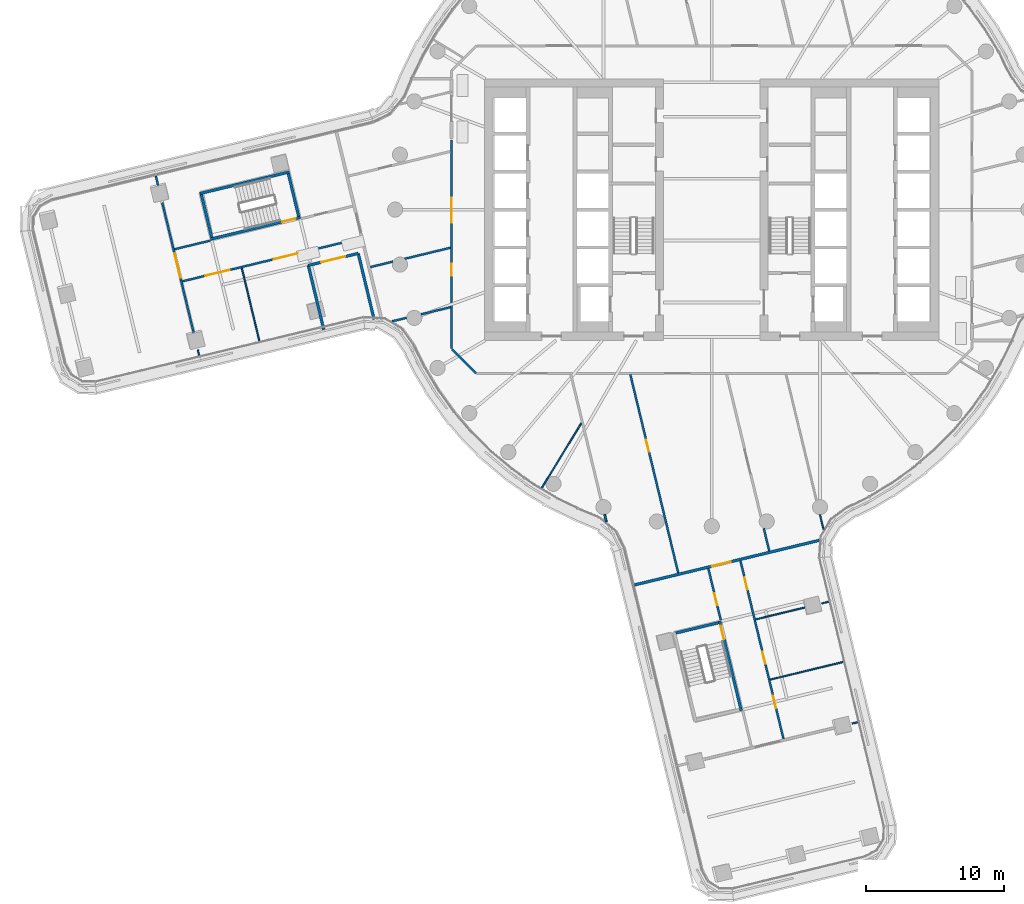
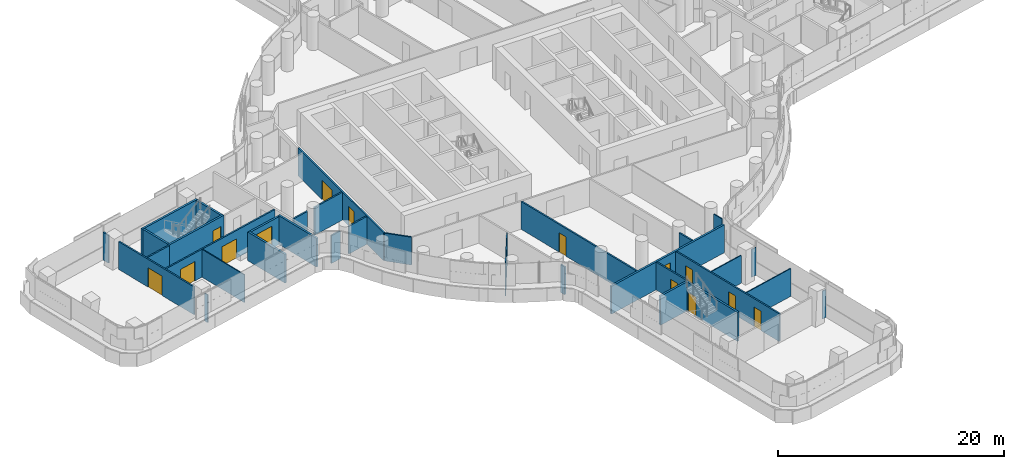
# One storey, part 19 of 33: 33 walls, 14 doors, 14 openings.
"""IFC4 building model written with IfcOpenShell, lengths in metres."""

from ifc_helpers import new_model, si_unit, direction, frame, frame_2d, origin, place, context, subcontext, project, spatial, polyline, rectangle, outline, extrude, material, layer, layer_set, type_object, element, fill, save


model = new_model("IFC4")

# Units and contexts
model_context = context("Model", 3, precision=1e-05, world=origin(), true_north=direction((0.0, 1.0)))
body_context = subcontext(model_context, "Body", "Model", "MODEL_VIEW")
ifc_project = project(units=[si_unit("LENGTHUNIT", "METRE"), si_unit("AREAUNIT", "SQUARE_METRE"), si_unit("VOLUMEUNIT", "CUBIC_METRE"), si_unit("PLANEANGLEUNIT", "RADIAN"), si_unit("MASSUNIT", "GRAM", prefix="KILO")], contexts=[model_context])

# Site, building, storey
site_placement = place(None, origin())
site = spatial("IfcSite", under=ifc_project, at=site_placement, CompositionType="ELEMENT")
building_placement = place(site_placement, origin())
building = spatial("IfcBuilding", under=site, at=building_placement, Name="Tamarind Cross Interchange Tower", CompositionType="ELEMENT")
storey_placement = place(building_placement, frame((0.0, 0.0, 83.5)))
storey = spatial("IfcBuildingStorey", under=building, at=storey_placement, Name="L19", CompositionType="ELEMENT", Elevation=83.5)

# Wall, opening, door
ifc_material_1 = material(Name="Concrete C40", Category="concrete")
ifc_layer_1 = layer(ifc_material_1, 0.199951171875)
ifc_layer_set_1 = layer_set([ifc_layer_1], Name="Concrete C40")
wall_type_1 = type_object("IfcWallType", Name="Balcony and garden door wall", PredefinedType="SOLIDWALL", material=ifc_layer_set_1)
wall_1_placement = place(storey_placement, frame((-29.3095703125, -4.052734375, 0.0), z_axis=(0.0, 0.0, 1.0), x_axis=(0.972345695873, 0.233546243209, 0.0)))
wall_1 = element("IfcWall", 1, at=wall_1_placement, inside=storey, type_object=wall_type_1, Name="EXW-L19-WG-L19-WS", PredefinedType="SOLIDWALL", context=body_context, shape_type="SweptSolid", body=[
    extrude(rectangle(XDim=3.729736328125, YDim=0.199951171875, at=frame_2d((1.86474609375, 0.0))), origin(), (0.0, 0.0, 1.0), 3.010009765625),
])
opening_1_placement = place(wall_1_placement, frame((0.965087890625, 0.0, 0.0)))
opening_1 = element("IfcOpeningElement", 2, at=opening_1_placement, cuts=wall_1, Name="Opening D5", PredefinedType="OPENING", context=body_context, shape_type="SweptSolid", body=[
    extrude(rectangle(XDim=1.800048828125, YDim=2.39990234375, at=frame_2d((0.89990234375, 1.199951171875))), frame((0.0, 0.10986328125, 0.0), z_axis=(0.0, -1.0, 0.0), x_axis=(1.0, 0.0, 0.0)), (0.0, 0.0, 1.0), 0.219970703125),
])
ifc_material_2 = material(Name="Aluminium and toughened glass", Category="aluminium")
door_type_1 = type_object("IfcDoorType", Name="Roof garden door", OperationType="DOUBLE_DOOR_SINGLE_SWING", PredefinedType="DOOR", material=ifc_material_2)
door_1_placement = place(opening_1_placement, origin())
door_1 = element("IfcDoor", 3, at=door_1_placement, inside=storey, type_object=door_type_1, Name="DOR-L19-WG-L19-WS", OperationType="SINGLE_SWING_LEFT", OverallHeight=2.39990234375, OverallWidth=1.800048828125, PredefinedType="DOOR", context=body_context, shape_type="SweptSolid", body=[
    extrude(rectangle(XDim=1.800048828125, YDim=2.39990234375, at=frame_2d((0.89990234375, 1.199951171875))), frame((0.0, 0.02490234375, 0.0), z_axis=(0.0, -1.0, 0.0), x_axis=(1.0, 0.0, 0.0)), (0.0, 0.0, 1.0), 0.050048828125),
])
fill(opening_1, door_1)

# Walls
wall_2_placement = place(storey_placement, frame((-29.309814453125, -4.052734375, 0.0), z_axis=(0.0, 0.0, 1.0), x_axis=(0.233561470918, -0.972342038227, 0.0)))
element("IfcWall", 4, at=wall_2_placement, inside=storey, type_object=wall_type_1, Name="EXW-L19-WG-L19-WS-R0", PredefinedType="SOLIDWALL", context=body_context, shape_type="SweptSolid", body=[
    extrude(rectangle(XDim=4.800048828125, YDim=0.199951171875, at=frame_2d((2.39990234375, 0.0))), origin(), (0.0, 0.0, 1.0), 3.114013671875),
])
wall_3_placement = place(storey_placement, frame((-25.6826171875, -3.181640625, 0.0), z_axis=(0.0, 0.0, 1.0), x_axis=(0.2335134947, -0.972353561105, 0.0)))
element("IfcWall", 5, at=wall_3_placement, inside=storey, type_object=wall_type_1, Name="EXW-L19-WG-L19-WS-R1", PredefinedType="SOLIDWALL", context=body_context, shape_type="SweptSolid", body=[
    extrude(rectangle(XDim=4.927490234375, YDim=0.199951171875, at=frame_2d((2.4638671875, 0.0))), origin(), (0.0, 0.0, 1.0), 3.114013671875),
])
ifc_material_3 = material(Name="Gypsum board partition on steel studs", Category="steel")
ifc_layer_2 = layer(ifc_material_3, 0.10009765625)
ifc_layer_set_2 = layer_set([ifc_layer_2], Name="Gypsum board partition on steel studs")
wall_type_2 = type_object("IfcWallType", Name="Partition 100 mm EI 90", PredefinedType="PARTITIONING", material=ifc_layer_set_2)
wall_4_placement = place(storey_placement, frame((-37.335205078125, -10.1923828125, 0.0), z_axis=(0.0, 0.0, 1.0), x_axis=(0.235271117148, -0.971929782153, 0.0)))
element("IfcWall", 6, at=wall_4_placement, inside=storey, type_object=wall_type_2, Name="Partition L19-003", PredefinedType="PARTITIONING", context=body_context, shape_type="SweptSolid", body=[
    extrude(rectangle(XDim=0.403564453125, YDim=0.10009765625, at=frame_2d((0.20166015625, 0.0))), origin(), (0.0, 0.0, 1.0), 3.010009765625),
])
wall_5_placement = place(storey_placement, frame((-34.142333984375, -4.244873046875, 0.0), z_axis=(0.0, 0.0, 1.0), x_axis=(0.234725335214, -0.972061735184, 0.0)))
element("IfcWall", 7, at=wall_5_placement, inside=storey, type_object=wall_type_2, Name="Partition L19-004", PredefinedType="PARTITIONING", context=body_context, shape_type="SweptSolid", body=[
    extrude(rectangle(XDim=5.44091796875, YDim=0.10009765625, at=frame_2d((2.720458984375, 0.0))), origin(), (0.0, 0.0, 1.0), 3.010009765625),
])
wall_6_placement = place(storey_placement, frame((7.860107421875, -22.171142578125, 0.0), z_axis=(0.0, 0.0, 1.0), x_axis=(0.234891953868, -0.972021486392, 0.0)))
element("IfcWall", 8, at=wall_6_placement, inside=storey, type_object=wall_type_2, Name="Partition L19-025", PredefinedType="PARTITIONING", context=body_context, shape_type="SweptSolid", body=[
    extrude(rectangle(XDim=1.07568359375, YDim=0.10009765625, at=frame_2d((0.537841796875, 0.0))), origin(), (0.0, 0.0, 1.0), 3.010009765625),
])
wall_7_placement = place(storey_placement, frame((10.1923828125, -37.335205078125, 0.0), z_axis=(0.0, 0.0, 1.0), x_axis=(0.971929782153, 0.235271117148, 0.0)))
element("IfcWall", 9, at=wall_7_placement, inside=storey, type_object=wall_type_2, Name="Partition L19-063", PredefinedType="PARTITIONING", context=body_context, shape_type="SweptSolid", body=[
    extrude(rectangle(XDim=0.403564453125, YDim=0.10009765625, at=frame_2d((0.20166015625, 0.0))), origin(), (0.0, 0.0, 1.0), 3.010009765625),
])
wall_8_placement = place(storey_placement, frame((3.18896484375, -29.768310546875, 0.0), z_axis=(0.0, 0.0, 1.0), x_axis=(0.972041726257, 0.234808182173, 0.0)))
element("IfcWall", 10, at=wall_8_placement, inside=storey, type_object=wall_type_2, Name="Partition L19-066", PredefinedType="PARTITIONING", context=body_context, shape_type="SweptSolid", body=[
    extrude(rectangle(XDim=3.653564453125, YDim=0.10009765625, at=frame_2d((1.82666015625, 0.0))), origin(), (0.0, 0.0, 1.0), 3.010009765625),
])
wall_9_placement = place(storey_placement, frame((7.9990234375, -28.606201171875, 0.0), z_axis=(0.0, 0.0, 1.0), x_axis=(0.971989514636, 0.235024218834, 0.0)))
element("IfcWall", 11, at=wall_9_placement, inside=storey, type_object=wall_type_2, Name="Partition L19-067", PredefinedType="PARTITIONING", context=body_context, shape_type="SweptSolid", body=[
    extrude(rectangle(XDim=0.49755859375, YDim=0.10009765625, at=frame_2d((0.248779296875, 0.0))), origin(), (0.0, 0.0, 1.0), 3.010009765625),
])
wall_10_placement = place(storey_placement, frame((4.249755859375, -34.14111328125, 0.0), z_axis=(0.0, 0.0, 1.0), x_axis=(0.972063483098, 0.234718096506, 0.0)))
element("IfcWall", 12, at=wall_10_placement, inside=storey, type_object=wall_type_2, Name="Partition L19-068", PredefinedType="PARTITIONING", context=body_context, shape_type="SweptSolid", body=[
    extrude(rectangle(XDim=5.435791015625, YDim=0.10009765625, at=frame_2d((2.7177734375, 0.0))), origin(), (0.0, 0.0, 1.0), 3.010009765625),
])
wall_11_placement = place(storey_placement, frame((-12.34228515625, -20.205810546875, 0.0), z_axis=(0.0, 0.0, 1.0), x_axis=(0.521349225491, 0.853343415678, 0.0)))
element("IfcWall", 13, at=wall_11_placement, inside=storey, type_object=wall_type_2, Name="Partition L19-081", PredefinedType="PARTITIONING", context=body_context, shape_type="SweptSolid", body=[
    extrude(rectangle(XDim=5.4873046875, YDim=0.10009765625, at=frame_2d((2.74365234375, 0.0))), origin(), (0.0, 0.0, 1.0), 3.010009765625),
])
ifc_layer_3 = layer(ifc_material_3, 0.14990234375)
ifc_layer_set_3 = layer_set([ifc_layer_3], Name="Gypsum board partition on steel studs")
wall_type_3 = type_object("IfcWallType", Name="Partition 150 mm EI 120", PredefinedType="PARTITIONING", material=ifc_layer_set_3)
wall_12_placement = place(storey_placement, frame((-40.3896484375, 2.44873046875, 0.0), z_axis=(0.0, 0.0, 1.0), x_axis=(0.2346629892, -0.972076787862, 0.0)))
element("IfcWall", 14, at=wall_12_placement, inside=storey, type_object=wall_type_3, Name="Partition L19-001", PredefinedType="PARTITIONING", context=body_context, shape_type="SweptSolid", body=[
    extrude(rectangle(XDim=0.70849609375, YDim=0.14990234375, at=frame_2d((0.354248046875, 0.0))), origin(), (0.0, 0.0, 1.0), 3.010009765625),
])

# Wall, opening, door
wall_13_placement = place(storey_placement, frame((-39.919189453125, 0.50146484375, 0.0), z_axis=(0.0, 0.0, 1.0), x_axis=(0.234888025631, -0.972022435654, 0.0)))
wall_13 = element("IfcWall", 15, at=wall_13_placement, inside=storey, type_object=wall_type_3, Name="Partition L19-002", PredefinedType="PARTITIONING", context=body_context, shape_type="SweptSolid", body=[
    extrude(rectangle(XDim=9.706787109375, YDim=0.14990234375, at=frame_2d((4.853515625, 0.0))), origin(), (0.0, 0.0, 1.0), 3.010009765625),
])
opening_2_placement = place(wall_13_placement, frame((3.79541015625, 0.0, 0.0)))
opening_2 = element("IfcOpeningElement", 16, at=opening_2_placement, cuts=wall_13, Name="Opening D01", PredefinedType="OPENING", context=body_context, shape_type="SweptSolid", body=[
    extrude(rectangle(XDim=1.800048828125, YDim=2.10009765625, at=frame_2d((0.89990234375, 1.050048828125))), frame((0.0, 0.0849609375, 0.0), z_axis=(0.0, -1.0, 0.0), x_axis=(1.0, 0.0, 0.0)), (0.0, 0.0, 1.0), 0.169921875),
])
ifc_material_4 = material(Name="Fire-resisting door set")
door_type_2 = type_object("IfcDoorType", Name="Interior door 1800 x 2100 FD60S", OperationType="DOUBLE_DOOR_SINGLE_SWING", PredefinedType="DOOR", material=ifc_material_4)
door_2_placement = place(opening_2_placement, origin())
door_2 = element("IfcDoor", 17, at=door_2_placement, inside=storey, type_object=door_type_2, Name="Door D01", OperationType="DOUBLE_DOOR_SINGLE_SWING", OverallHeight=2.10009765625, OverallWidth=1.800048828125, PredefinedType="DOOR", context=body_context, shape_type="SweptSolid", body=[
    extrude(rectangle(XDim=1.800048828125, YDim=2.10009765625, at=frame_2d((0.89990234375, 1.050048828125))), frame((0.0, 0.02490234375, 0.0), z_axis=(0.0, -1.0, 0.0), x_axis=(1.0, 0.0, 0.0)), (0.0, 0.0, 1.0), 0.050048828125),
])
fill(opening_2, door_2)

# Wall
wall_14_placement = place(storey_placement, frame((-7.78125, -22.150146484375, 0.0), z_axis=(0.0, 0.0, 1.0), x_axis=(0.234918608349, -0.972015044869, 0.0)))
element("IfcWall", 18, at=wall_14_placement, inside=storey, type_object=wall_type_3, Name="Partition L19-007", PredefinedType="PARTITIONING", context=body_context, shape_type="SweptSolid", body=[
    extrude(rectangle(XDim=0.54345703125, YDim=0.14990234375, at=frame_2d((0.271728515625, 0.0))), origin(), (0.0, 0.0, 1.0), 3.010009765625),
])

# Wall, opening, door
wall_15_placement = place(storey_placement, frame((-5.92041015625, -11.972900390625, 0.0), z_axis=(0.0, 0.0, 1.0), x_axis=(0.234815323927, -0.972040001054, 0.0)))
wall_15 = element("IfcWall", 19, at=wall_15_placement, inside=storey, type_object=wall_type_3, Name="Partition L19-011", PredefinedType="PARTITIONING", context=body_context, shape_type="SweptSolid", body=[
    extrude(rectangle(XDim=14.836669921875, YDim=0.14990234375, at=frame_2d((7.41845703125, 0.0))), origin(), (0.0, 0.0, 1.0), 3.010009765625),
])
opening_3_placement = place(wall_15_placement, frame((4.875, 0.0, 0.0)))
opening_3 = element("IfcOpeningElement", 20, at=opening_3_placement, cuts=wall_15, Name="Opening D03", PredefinedType="OPENING", context=body_context, shape_type="SweptSolid", body=[
    extrude(rectangle(XDim=0.89990234375, YDim=2.10009765625, at=frame_2d((0.449951171875, 1.050048828125))), frame((0.0, 0.0849609375, 0.0), z_axis=(0.0, -1.0, 0.0), x_axis=(1.0, 0.0, 0.0)), (0.0, 0.0, 1.0), 0.169921875),
])
door_type_3 = type_object("IfcDoorType", Name="Interior door 900 x 2100 FD60S", OperationType="SINGLE_SWING_LEFT", PredefinedType="DOOR", material=ifc_material_4)
door_3_placement = place(opening_3_placement, frame((0.89990234375, 0.0, 0.0), z_axis=(0.0, 0.0, 1.0), x_axis=(-1.0, 0.0, 0.0)))
door_3 = element("IfcDoor", 21, at=door_3_placement, inside=storey, type_object=door_type_3, Name="Door D03", OperationType="SINGLE_SWING_LEFT", OverallHeight=2.10009765625, OverallWidth=0.89990234375, PredefinedType="DOOR", context=body_context, shape_type="SweptSolid", body=[
    extrude(rectangle(XDim=0.89990234375, YDim=2.10009765625, at=frame_2d((0.449951171875, 1.050048828125))), frame((0.0, 0.02490234375, 0.0), z_axis=(0.0, -1.0, 0.0), x_axis=(1.0, 0.0, 0.0)), (0.0, 0.0, 1.0), 0.050048828125),
])
fill(opening_3, door_3)

wall_16_placement = place(storey_placement, frame((-0.25048828125, -26.0732421875, 0.0), z_axis=(0.0, 0.0, 1.0), x_axis=(0.234908446006, -0.972017500869, 0.0)))
wall_16 = element("IfcWall", 22, at=wall_16_placement, inside=storey, type_object=wall_type_3, Name="Partition L19-017", PredefinedType="PARTITIONING", context=body_context, shape_type="SweptSolid", body=[
    extrude(rectangle(XDim=3.85986328125, YDim=0.14990234375, at=frame_2d((1.929931640625, 0.0))), origin(), (0.0, 0.0, 1.0), 3.010009765625),
])
opening_4_placement = place(wall_16_placement, frame((1.85009765625, 0.0, 0.0)))
opening_4 = element("IfcOpeningElement", 23, at=opening_4_placement, cuts=wall_16, Name="Opening D10", PredefinedType="OPENING", context=body_context, shape_type="SweptSolid", body=[
    extrude(rectangle(XDim=0.89990234375, YDim=2.10009765625, at=frame_2d((0.449951171875, 1.050048828125))), frame((0.0, 0.0849609375, 0.0), z_axis=(0.0, -1.0, 0.0), x_axis=(1.0, 0.0, 0.0)), (0.0, 0.0, 1.0), 0.169921875),
])
door_4_placement = place(opening_4_placement, frame((0.89990234375, 0.0, 0.0), z_axis=(0.0, 0.0, 1.0), x_axis=(-1.0, 0.0, 0.0)))
door_4 = element("IfcDoor", 24, at=door_4_placement, inside=storey, type_object=door_type_3, Name="Door D10", OperationType="SINGLE_SWING_RIGHT", OverallHeight=2.10009765625, OverallWidth=0.89990234375, PredefinedType="DOOR", context=body_context, shape_type="SweptSolid", body=[
    extrude(rectangle(XDim=0.89990234375, YDim=2.10009765625, at=frame_2d((0.449951171875, 1.050048828125))), frame((0.0, 0.02490234375, 0.0), z_axis=(0.0, -1.0, 0.0), x_axis=(1.0, 0.0, 0.0)), (0.0, 0.0, 1.0), 0.050048828125),
])
fill(opening_4, door_4)

# Wall
wall_17_placement = place(storey_placement, frame((3.77587890625, -23.152099609375, 0.0), z_axis=(0.0, 0.0, 1.0), x_axis=(0.234894244141, -0.972020932938, 0.0)))
element("IfcWall", 25, at=wall_17_placement, inside=storey, type_object=wall_type_3, Name="Partition L19-020", PredefinedType="PARTITIONING", context=body_context, shape_type="SweptSolid", body=[
    extrude(rectangle(XDim=1.693115234375, YDim=0.14990234375, at=frame_2d((0.8466796875, 0.0))), origin(), (0.0, 0.0, 1.0), 3.010009765625),
])

# Wall, openings, doors
wall_18_placement = place(storey_placement, frame((2.083740234375, -25.51416015625, 0.0), z_axis=(0.0, 0.0, 1.0), x_axis=(0.23482090087, -0.972038653817, 0.0)))
wall_18 = element("IfcWall", 26, at=wall_18_placement, inside=storey, type_object=wall_type_3, Name="Partition L19-021", PredefinedType="PARTITIONING", context=body_context, shape_type="SweptSolid", body=[
    extrude(rectangle(XDim=13.3193359375, YDim=0.14990234375, at=frame_2d((6.65966796875, 0.0))), origin(), (0.0, 0.0, 1.0), 3.010009765625),
])
opening_5_placement = place(wall_18_placement, frame((1.2451171875, 0.0, 0.0)))
opening_5 = element("IfcOpeningElement", 27, at=opening_5_placement, cuts=wall_18, Name="Opening D12", PredefinedType="OPENING", context=body_context, shape_type="SweptSolid", body=[
    extrude(rectangle(XDim=0.89990234375, YDim=2.10009765625, at=frame_2d((0.449951171875, 1.050048828125))), frame((0.0, 0.0849609375, 0.0), z_axis=(0.0, -1.0, 0.0), x_axis=(1.0, 0.0, 0.0)), (0.0, 0.0, 1.0), 0.169921875),
])
opening_6_placement = place(wall_18_placement, frame((6.794921875, 0.0, 0.0)))
opening_6 = element("IfcOpeningElement", 28, at=opening_6_placement, cuts=wall_18, Name="Opening D13", PredefinedType="OPENING", context=body_context, shape_type="SweptSolid", body=[
    extrude(rectangle(XDim=0.89990234375, YDim=2.10009765625, at=frame_2d((0.449951171875, 1.050048828125))), frame((0.0, 0.0849609375, 0.0), z_axis=(0.0, -1.0, 0.0), x_axis=(1.0, 0.0, 0.0)), (0.0, 0.0, 1.0), 0.169921875),
])
opening_7_placement = place(wall_18_placement, frame((10.094482421875, 0.0, 0.0)))
opening_7 = element("IfcOpeningElement", 29, at=opening_7_placement, cuts=wall_18, Name="Opening D14", PredefinedType="OPENING", context=body_context, shape_type="SweptSolid", body=[
    extrude(rectangle(XDim=0.89990234375, YDim=2.10009765625, at=frame_2d((0.449951171875, 1.050048828125))), frame((0.0, 0.0849609375, 0.0), z_axis=(0.0, -1.0, 0.0), x_axis=(1.0, 0.0, 0.0)), (0.0, 0.0, 1.0), 0.169921875),
])
door_5_placement = place(opening_5_placement, origin())
door_5 = element("IfcDoor", 30, at=door_5_placement, inside=storey, type_object=door_type_3, Name="Door D12", OperationType="SINGLE_SWING_RIGHT", OverallHeight=2.10009765625, OverallWidth=0.89990234375, PredefinedType="DOOR", context=body_context, shape_type="SweptSolid", body=[
    extrude(rectangle(XDim=0.89990234375, YDim=2.10009765625, at=frame_2d((0.449951171875, 1.050048828125))), frame((0.0, 0.02490234375, 0.0), z_axis=(0.0, -1.0, 0.0), x_axis=(1.0, 0.0, 0.0)), (0.0, 0.0, 1.0), 0.050048828125),
])
fill(opening_5, door_5)
door_6_placement = place(opening_6_placement, origin())
door_6 = element("IfcDoor", 31, at=door_6_placement, inside=storey, type_object=door_type_3, Name="Door D13", OperationType="SINGLE_SWING_LEFT", OverallHeight=2.10009765625, OverallWidth=0.89990234375, PredefinedType="DOOR", context=body_context, shape_type="SweptSolid", body=[
    extrude(rectangle(XDim=0.89990234375, YDim=2.10009765625, at=frame_2d((0.449951171875, 1.050048828125))), frame((0.0, 0.02490234375, 0.0), z_axis=(0.0, -1.0, 0.0), x_axis=(1.0, 0.0, 0.0)), (0.0, 0.0, 1.0), 0.050048828125),
])
fill(opening_6, door_6)
door_7_placement = place(opening_7_placement, origin())
door_7 = element("IfcDoor", 32, at=door_7_placement, inside=storey, type_object=door_type_3, Name="Door D14", OperationType="SINGLE_SWING_LEFT", OverallHeight=2.10009765625, OverallWidth=0.89990234375, PredefinedType="DOOR", context=body_context, shape_type="SweptSolid", body=[
    extrude(rectangle(XDim=0.89990234375, YDim=2.10009765625, at=frame_2d((0.449951171875, 1.050048828125))), frame((0.0, 0.02490234375, 0.0), z_axis=(0.0, -1.0, 0.0), x_axis=(1.0, 0.0, 0.0)), (0.0, 0.0, 1.0), 0.050048828125),
])
fill(opening_7, door_7)

# Walls
wall_19_placement = place(storey_placement, frame((-18.87158203125, -10.12841796875, 0.0), z_axis=(0.0, 0.0, 1.0), x_axis=(0.707106781187, -0.707106781187, 0.0)))
element("IfcWall", 33, at=wall_19_placement, inside=storey, type_object=wall_type_3, Name="Partition L19-037", PredefinedType="PARTITIONING", context=body_context, shape_type="SweptSolid", body=[
    extrude(rectangle(XDim=2.465087890625, YDim=0.14990234375, at=frame_2d((1.232421875, 0.0))), origin(), (0.0, 0.0, 1.0), 3.010009765625),
])
wall_20_placement = place(storey_placement, frame((-39.025146484375, -2.87841796875, 0.0), z_axis=(0.0, 0.0, 1.0), x_axis=(0.972027113786, 0.234868665567, 0.0)))
element("IfcWall", 34, at=wall_20_placement, inside=storey, type_object=wall_type_3, Name="Partition L19-043", PredefinedType="PARTITIONING", context=body_context, shape_type="SweptSolid", body=[
    extrude(rectangle(XDim=2.68505859375, YDim=0.14990234375, at=frame_2d((1.342529296875, 0.0))), origin(), (0.0, 0.0, 1.0), 3.010009765625),
])

# Wall, openings, doors
wall_21_placement = place(storey_placement, frame((-38.461181640625, -5.21142578125, 0.0), z_axis=(0.0, 0.0, 1.0), x_axis=(0.972020905, 0.234894359751, 0.0)))
wall_21 = element("IfcWall", 35, at=wall_21_placement, inside=storey, type_object=wall_type_3, Name="Partition L19-045", PredefinedType="PARTITIONING", context=body_context, shape_type="SweptSolid", body=[
    extrude(rectangle(XDim=13.3193359375, YDim=0.14990234375, at=frame_2d((6.65966796875, 0.0))), origin(), (0.0, 0.0, 1.0), 3.010009765625),
])
opening_8_placement = place(wall_21_placement, frame((6.824951171875, 0.0, 0.0)))
opening_8 = element("IfcOpeningElement", 36, at=opening_8_placement, cuts=wall_21, Name="Opening D25", PredefinedType="OPENING", context=body_context, shape_type="SweptSolid", body=[
    extrude(rectangle(XDim=1.800048828125, YDim=2.10009765625, at=frame_2d((0.89990234375, 1.050048828125))), frame((0.0, 0.0849609375, 0.0), z_axis=(0.0, -1.0, 0.0), x_axis=(1.0, 0.0, 0.0)), (0.0, 0.0, 1.0), 0.169921875),
])
opening_9_placement = place(wall_21_placement, frame((1.72509765625, 0.0, 0.0)))
opening_9 = element("IfcOpeningElement", 37, at=opening_9_placement, cuts=wall_21, Name="Opening D26", PredefinedType="OPENING", context=body_context, shape_type="SweptSolid", body=[
    extrude(rectangle(XDim=1.800048828125, YDim=2.10009765625, at=frame_2d((0.89990234375, 1.050048828125))), frame((0.0, 0.0849609375, 0.0), z_axis=(0.0, -1.0, 0.0), x_axis=(1.0, 0.0, 0.0)), (0.0, 0.0, 1.0), 0.169921875),
])
door_8_placement = place(opening_8_placement, frame((1.800048828125, 0.0, 0.0), z_axis=(0.0, 0.0, 1.0), x_axis=(-1.0, 0.0, 0.0)))
door_8 = element("IfcDoor", 38, at=door_8_placement, inside=storey, type_object=door_type_2, Name="Door D25", OperationType="DOUBLE_DOOR_SINGLE_SWING", OverallHeight=2.10009765625, OverallWidth=1.800048828125, PredefinedType="DOOR", context=body_context, shape_type="SweptSolid", body=[
    extrude(rectangle(XDim=1.800048828125, YDim=2.10009765625, at=frame_2d((0.89990234375, 1.050048828125))), frame((0.0, 0.02490234375, 0.0), z_axis=(0.0, -1.0, 0.0), x_axis=(1.0, 0.0, 0.0)), (0.0, 0.0, 1.0), 0.050048828125),
])
fill(opening_8, door_8)
door_9_placement = place(opening_9_placement, frame((1.800048828125, 0.0, 0.0), z_axis=(0.0, 0.0, 1.0), x_axis=(-1.0, 0.0, 0.0)))
door_9 = element("IfcDoor", 39, at=door_9_placement, inside=storey, type_object=door_type_2, Name="Door D26", OperationType="DOUBLE_DOOR_SINGLE_SWING", OverallHeight=2.10009765625, OverallWidth=1.800048828125, PredefinedType="DOOR", context=body_context, shape_type="SweptSolid", body=[
    extrude(rectangle(XDim=1.800048828125, YDim=2.10009765625, at=frame_2d((0.89990234375, 1.050048828125))), frame((0.0, 0.02490234375, 0.0), z_axis=(0.0, -1.0, 0.0), x_axis=(1.0, 0.0, 0.0)), (0.0, 0.0, 1.0), 0.050048828125),
])
fill(opening_9, door_9)

# Walls
wall_22_placement = place(storey_placement, frame((-24.7978515625, -4.173583984375, 0.0), z_axis=(0.0, 0.0, 1.0), x_axis=(0.972053847495, 0.234757997882, 0.0)))
element("IfcWall", 40, at=wall_22_placement, inside=storey, type_object=wall_type_3, Name="Partition L19-047", PredefinedType="PARTITIONING", context=body_context, shape_type="SweptSolid", body=[
    extrude(rectangle(XDim=1.693115234375, YDim=0.14990234375, at=frame_2d((0.8466796875, 0.0))), origin(), (0.0, 0.0, 1.0), 3.010009765625),
])
wall_23_placement = place(storey_placement, frame((-22.3076171875, -3.572021484375, 0.0), z_axis=(0.0, 0.0, 1.0), x_axis=(0.972049735002, 0.234775025681, 0.0)))
element("IfcWall", 41, at=wall_23_placement, inside=storey, type_object=wall_type_3, Name="Partition L19-048", PredefinedType="PARTITIONING", context=body_context, shape_type="SweptSolid", body=[
    extrude(rectangle(XDim=3.4306640625, YDim=0.14990234375, at=frame_2d((1.71533203125, 0.0))), origin(), (0.0, 0.0, 1.0), 3.010009765625),
])
wall_24_placement = place(storey_placement, frame((-23.216796875, -8.11279296875, 0.0), z_axis=(0.0, 0.0, 1.0), x_axis=(0.972021486392, 0.234891953868, 0.0)))
element("IfcWall", 42, at=wall_24_placement, inside=storey, type_object=wall_type_3, Name="Partition L19-049", PredefinedType="PARTITIONING", context=body_context, shape_type="SweptSolid", body=[
    extrude(rectangle(XDim=1.07568359375, YDim=0.14990234375, at=frame_2d((0.537841796875, 0.0))), origin(), (0.0, 0.0, 1.0), 3.010009765625),
])
wall_25_placement = place(storey_placement, frame((-21.12255859375, -7.606689453125, 0.0), z_axis=(0.0, 0.0, 1.0), x_axis=(0.9720657083, 0.234708880846, 0.0)))
element("IfcWall", 43, at=wall_25_placement, inside=storey, type_object=wall_type_3, Name="Partition L19-050", PredefinedType="PARTITIONING", context=body_context, shape_type="SweptSolid", body=[
    extrude(rectangle(XDim=2.21142578125, YDim=0.14990234375, at=frame_2d((1.105712890625, 0.0))), origin(), (0.0, 0.0, 1.0), 3.010009765625),
])

# Wall, openings, doors
wall_26_placement = place(storey_placement, frame((-18.89990234375, -10.10009765625, 0.0), z_axis=(0.0, 0.0, 1.0), x_axis=(0.0, 1.0, 0.0)))
wall_26 = element("IfcWall", 44, at=wall_26_placement, inside=storey, type_object=wall_type_3, Name="Partition L19-083", PredefinedType="PARTITIONING", context=body_context, shape_type="SweptSolid", body=[
    extrude(rectangle(XDim=15.166259765625, YDim=0.14990234375, at=frame_2d((7.5830078125, 0.0))), origin(), (0.0, 0.0, 1.0), 3.010009765625),
])
opening_10_placement = place(wall_26_placement, frame((9.15087890625, 0.0, 0.0)))
opening_10 = element("IfcOpeningElement", 45, at=opening_10_placement, cuts=wall_26, Name="Opening D41", PredefinedType="OPENING", context=body_context, shape_type="SweptSolid", body=[
    extrude(rectangle(XDim=1.800048828125, YDim=2.10009765625, at=frame_2d((0.89990234375, 1.050048828125))), frame((0.0, 0.0849609375, 0.0), z_axis=(0.0, -1.0, 0.0), x_axis=(1.0, 0.0, 0.0)), (0.0, 0.0, 1.0), 0.169921875),
])
opening_11_placement = place(wall_26_placement, frame((5.280029296875, 0.0, 0.0)))
opening_11 = element("IfcOpeningElement", 46, at=opening_11_placement, cuts=wall_26, Name="Opening D42", PredefinedType="OPENING", context=body_context, shape_type="SweptSolid", body=[
    extrude(rectangle(XDim=0.89990234375, YDim=2.10009765625, at=frame_2d((0.449951171875, 1.050048828125))), frame((0.0, 0.0849609375, 0.0), z_axis=(0.0, -1.0, 0.0), x_axis=(1.0, 0.0, 0.0)), (0.0, 0.0, 1.0), 0.169921875),
])
door_10_placement = place(opening_10_placement, frame((1.800048828125, 0.0, 0.0), z_axis=(0.0, 0.0, 1.0), x_axis=(-1.0, 0.0, 0.0)))
door_10 = element("IfcDoor", 47, at=door_10_placement, inside=storey, type_object=door_type_2, Name="Door D41", OperationType="DOUBLE_DOOR_SINGLE_SWING", OverallHeight=2.10009765625, OverallWidth=1.800048828125, PredefinedType="DOOR", context=body_context, shape_type="SweptSolid", body=[
    extrude(rectangle(XDim=1.800048828125, YDim=2.10009765625, at=frame_2d((0.89990234375, 1.050048828125))), frame((0.0, 0.02490234375, 0.0), z_axis=(0.0, -1.0, 0.0), x_axis=(1.0, 0.0, 0.0)), (0.0, 0.0, 1.0), 0.050048828125),
])
fill(opening_10, door_10)
door_11_placement = place(opening_11_placement, origin())
door_11 = element("IfcDoor", 48, at=door_11_placement, inside=storey, type_object=door_type_3, Name="Door D42", OperationType="SINGLE_SWING_RIGHT", OverallHeight=2.10009765625, OverallWidth=0.89990234375, PredefinedType="DOOR", context=body_context, shape_type="SweptSolid", body=[
    extrude(rectangle(XDim=0.89990234375, YDim=2.10009765625, at=frame_2d((0.449951171875, 1.050048828125))), frame((0.0, 0.02490234375, 0.0), z_axis=(0.0, -1.0, 0.0), x_axis=(1.0, 0.0, 0.0)), (0.0, 0.0, 1.0), 0.050048828125),
])
fill(opening_11, door_11)

# Wall, opening, door
ifc_layer_4 = layer(ifc_material_3, 0.199951171875)
ifc_layer_set_4 = layer_set([ifc_layer_4], Name="Gypsum board partition on steel studs")
wall_type_4 = type_object("IfcWallType", Name="Partition 200 mm EI 180", PredefinedType="PARTITIONING", material=ifc_layer_set_4)
wall_27_placement = place(storey_placement, frame((-5.619384765625, -27.266845703125, 0.0), z_axis=(0.0, 0.0, 1.0), x_axis=(0.972057584174, 0.234742525012, 0.0)))
wall_27 = element("IfcWall", 49, at=wall_27_placement, inside=storey, type_object=wall_type_4, Name="Partition L19-058", PredefinedType="PARTITIONING", context=body_context, shape_type="SweptSolid", body=[
    extrude(rectangle(XDim=13.805419921875, YDim=0.199951171875, at=frame_2d((6.90283203125, 0.0))), origin(), (0.0, 0.0, 1.0), 3.010009765625),
])
opening_12_placement = place(wall_27_placement, frame((5.798828125, 0.0, 0.0)))
opening_12 = element("IfcOpeningElement", 50, at=opening_12_placement, cuts=wall_27, Name="Opening D31", PredefinedType="OPENING", context=body_context, shape_type="SweptSolid", body=[
    extrude(rectangle(XDim=1.39990234375, YDim=2.10009765625, at=frame_2d((0.699951171875, 1.050048828125))), frame((0.0, 0.10986328125, 0.0), z_axis=(0.0, -1.0, 0.0), x_axis=(1.0, 0.0, 0.0)), (0.0, 0.0, 1.0), 0.219970703125),
])
door_type_4 = type_object("IfcDoorType", Name="Interior door 1400 x 2100 FD120S", OperationType="DOUBLE_DOOR_SINGLE_SWING", PredefinedType="DOOR", material=ifc_material_4)
door_12_placement = place(opening_12_placement, origin())
door_12 = element("IfcDoor", 51, at=door_12_placement, inside=storey, type_object=door_type_4, Name="Door D31", OperationType="DOUBLE_DOOR_SINGLE_SWING", OverallHeight=2.10009765625, OverallWidth=1.39990234375, PredefinedType="DOOR", context=body_context, shape_type="SweptSolid", body=[
    extrude(rectangle(XDim=1.39990234375, YDim=2.10009765625, at=frame_2d((0.699951171875, 1.050048828125))), frame((0.0, 0.02490234375, 0.0), z_axis=(0.0, -1.0, 0.0), x_axis=(1.0, 0.0, 0.0)), (0.0, 0.0, 1.0), 0.050048828125),
])
fill(opening_12, door_12)

ifc_layer_5 = layer(ifc_material_1, 0.199951171875)
ifc_layer_set_5 = layer_set([ifc_layer_5], Name="Concrete C40")
wall_type_5 = type_object("IfcWallType", Name="Stair shaft wall 200 mm Concrete C40", PredefinedType="SHEAR", material=ifc_layer_set_5)
wall_28_placement = place(storey_placement, frame((-29.88720703125, -0.568115234375, -0.139892578125), z_axis=(0.0, 0.0, 1.0), x_axis=(-0.972032605988, -0.234845934383, 0.0)))
wall_28 = element("IfcWall", 52, at=wall_28_placement, inside=storey, type_object=wall_type_5, Name="Core wall CWL-L19-ST5-H", PredefinedType="SHEAR", context=body_context, shape_type="SweptSolid", body=[
    extrude(rectangle(XDim=6.7001953125, YDim=0.199951171875, at=frame_2d((3.35009765625, 0.0))), origin(), (0.0, 0.0, 1.0), 3.14990234375),
])
opening_13_placement = place(wall_28_placement, frame((0.35009765625, 0.0, 0.0)))
opening_13 = element("IfcOpeningElement", 53, at=opening_13_placement, cuts=wall_28, Name="Opening ST5L19", PredefinedType="OPENING", context=body_context, shape_type="SweptSolid", body=[
    extrude(rectangle(XDim=1.0, YDim=2.10009765625, at=frame_2d((0.5, 1.050048828125))), frame((0.0, 0.10986328125, 0.0), z_axis=(0.0, -1.0, 0.0), x_axis=(1.0, 0.0, 0.0)), (0.0, 0.0, 1.0), 0.219970703125),
])
ifc_material_5 = material(Name="Steel, fire-resisting", Category="steel")
door_type_5 = type_object("IfcDoorType", Name="Core fire door 1000 x 2100 FD90", OperationType="SINGLE_SWING_LEFT", PredefinedType="DOOR", material=ifc_material_5)
door_13_placement = place(opening_13_placement, origin())
door_13 = element("IfcDoor", 54, at=door_13_placement, inside=storey, type_object=door_type_5, Name="L19 stair door ST5", OperationType="SINGLE_SWING_LEFT", OverallHeight=2.10009765625, OverallWidth=1.0, PredefinedType="DOOR", context=body_context, shape_type="SweptSolid", body=[
    extrude(rectangle(XDim=1.0, YDim=2.10009765625, at=frame_2d((0.5, 1.050048828125))), frame((0.0, 0.02490234375, 0.0), z_axis=(0.0, -1.0, 0.0), x_axis=(1.0, 0.0, 0.0)), (0.0, 0.0, 1.0), 0.050048828125),
])
fill(opening_13, door_13)

# Walls
wall_29_placement = place(storey_placement, frame((-30.685546875, 2.73681640625, -0.139892578125), z_axis=(0.0, 0.0, 1.0), x_axis=(-0.972032605988, -0.234845934383, 0.0)))
element("IfcWall", 55, at=wall_29_placement, inside=storey, type_object=wall_type_5, Name="Core wall CWL-L19-ST5-C", PredefinedType="SHEAR", context=body_context, shape_type="SweptSolid", body=[
    extrude(rectangle(XDim=6.7001953125, YDim=0.199951171875, at=frame_2d((3.35009765625, 0.0))), origin(), (0.0, 0.0, 1.0), 3.14990234375),
])
wall_30_placement = place(storey_placement, frame((-30.75927734375, 2.6162109375, -0.139892578125), z_axis=(0.0, 0.0, 1.0), x_axis=(0.234826972877, -0.972037186948, 0.0)))
element("IfcWall", 56, at=wall_30_placement, inside=storey, type_object=wall_type_5, Name="Core wall CWL-L19-ST5-CE", PredefinedType="SHEAR", context=body_context, shape_type="SweptSolid", body=[
    extrude(rectangle(XDim=3.2001953125, YDim=0.199951171875, at=frame_2d((1.60009765625, 0.0))), origin(), (0.0, 0.0, 1.0), 3.14990234375),
])
wall_31_placement = place(storey_placement, frame((0.0, 0.0, -0.139892578125)))
element("IfcWall", 57, at=wall_31_placement, inside=storey, type_object=wall_type_5, Name="Core wall CWL-L19-ST5-CF", PredefinedType="SHEAR", context=body_context, shape_type="SweptSolid", body=[
    extrude(outline(polyline([(-36.98046875, 1.113037109375), (-37.1748046875, 1.066162109375), (-36.42333984375, -2.04443359375), (-36.22900390625, -1.997314453125), (-36.98046875, 1.113037109375)])), origin(), (0.0, 0.0, 1.0), 3.14990234375),
])

# Wall, opening, door
wall_32_placement = place(storey_placement, frame((0.568115234375, -29.88720703125, -0.139892578125), z_axis=(0.0, 0.0, 1.0), x_axis=(0.234845934383, -0.972032605988, 0.0)))
wall_32 = element("IfcWall", 58, at=wall_32_placement, inside=storey, type_object=wall_type_5, Name="Core wall CWL-L19-ST6-H", PredefinedType="SHEAR", context=body_context, shape_type="SweptSolid", body=[
    extrude(rectangle(XDim=6.7001953125, YDim=0.199951171875, at=frame_2d((3.35009765625, 0.0))), origin(), (0.0, 0.0, 1.0), 3.14990234375),
])
opening_14_placement = place(wall_32_placement, frame((0.35009765625, 0.0, 0.0)))
opening_14 = element("IfcOpeningElement", 59, at=opening_14_placement, cuts=wall_32, Name="Opening ST6L19", PredefinedType="OPENING", context=body_context, shape_type="SweptSolid", body=[
    extrude(rectangle(XDim=1.0, YDim=2.10009765625, at=frame_2d((0.5, 1.050048828125))), frame((0.0, 0.10986328125, 0.0), z_axis=(0.0, -1.0, 0.0), x_axis=(1.0, 0.0, 0.0)), (0.0, 0.0, 1.0), 0.219970703125),
])
door_14_placement = place(opening_14_placement, origin())
door_14 = element("IfcDoor", 60, at=door_14_placement, inside=storey, type_object=door_type_5, Name="L19 stair door ST6", OperationType="SINGLE_SWING_LEFT", OverallHeight=2.10009765625, OverallWidth=1.0, PredefinedType="DOOR", context=body_context, shape_type="SweptSolid", body=[
    extrude(rectangle(XDim=1.0, YDim=2.10009765625, at=frame_2d((0.5, 1.050048828125))), frame((0.0, 0.02490234375, 0.0), z_axis=(0.0, -1.0, 0.0), x_axis=(1.0, 0.0, 0.0)), (0.0, 0.0, 1.0), 0.050048828125),
])
fill(opening_14, door_14)

# Wall
wall_33_placement = place(storey_placement, frame((-2.6162109375, -30.75927734375, -0.139892578125), z_axis=(0.0, 0.0, 1.0), x_axis=(0.972037186948, 0.234826972877, 0.0)))
element("IfcWall", 61, at=wall_33_placement, inside=storey, type_object=wall_type_5, Name="Core wall CWL-L19-ST6-CE", PredefinedType="SHEAR", context=body_context, shape_type="SweptSolid", body=[
    extrude(rectangle(XDim=3.2001953125, YDim=0.199951171875, at=frame_2d((1.60009765625, 0.0))), origin(), (0.0, 0.0, 1.0), 3.14990234375),
])

save(model, "model.ifc")
